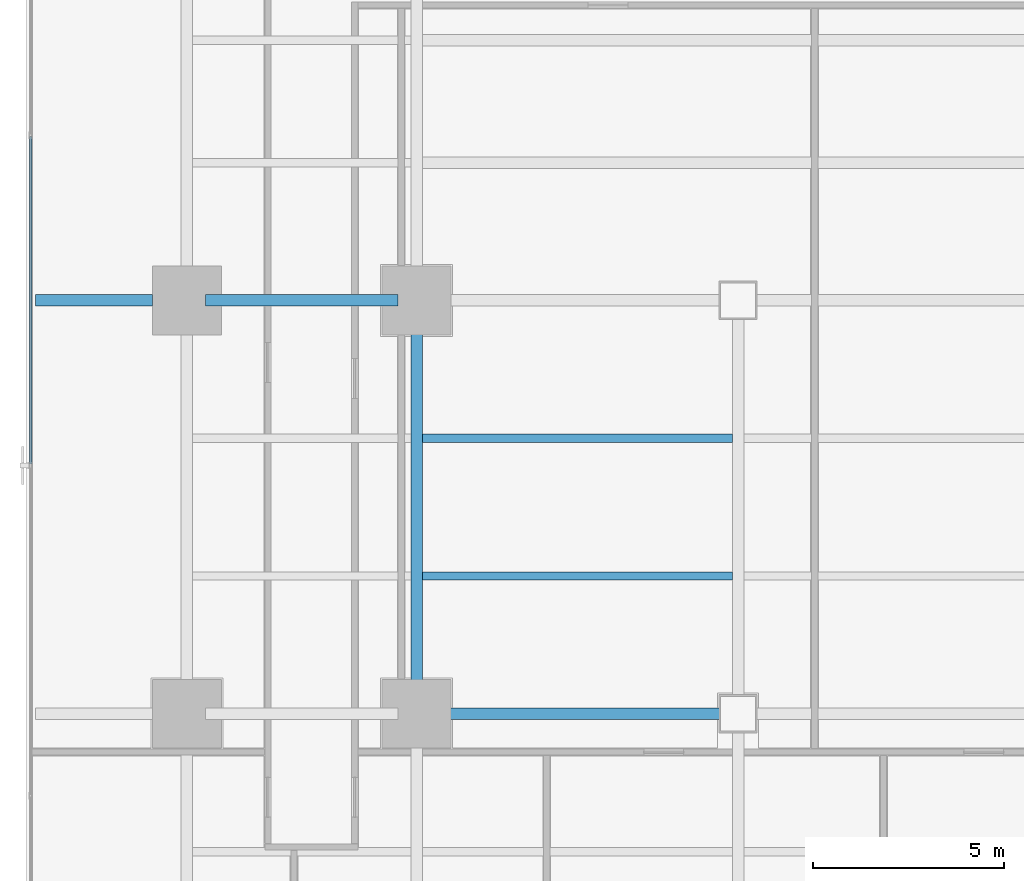
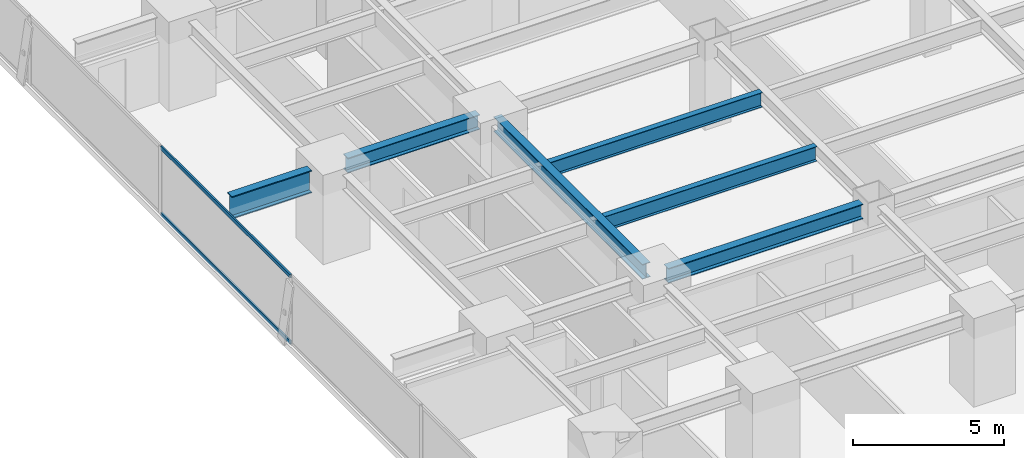
# One storey, part 8 of 33: 6 beams, 2 members, 1 element without a shape of its own.
"""IFC4 building model written with IfcOpenShell, lengths in metres."""

from ifc_helpers import new_model, si_unit, direction, frame, origin, origin_2d, place, context, subcontext, project, spatial, hollow_rectangle, i_section, extrude, source, transform, mapped, material, layer, layer_set, material_profile, profile_set, type_object, element, aggregate, save


model = new_model("IFC4")

# Units and contexts
model_context = context("Model", 3, precision=1e-05, world=origin(), true_north=direction((0.0, 1.0)))
body_context = subcontext(model_context, "Body", "Model", "MODEL_VIEW")
ifc_project = project(units=[si_unit("LENGTHUNIT", "METRE"), si_unit("AREAUNIT", "SQUARE_METRE"), si_unit("VOLUMEUNIT", "CUBIC_METRE"), si_unit("PLANEANGLEUNIT", "RADIAN"), si_unit("MASSUNIT", "GRAM", prefix="KILO")], contexts=[model_context])

# Site, building, storey
site_placement = place(None, origin())
site = spatial("IfcSite", under=ifc_project, at=site_placement, CompositionType="ELEMENT")
building_placement = place(site_placement, origin())
building = spatial("IfcBuilding", under=site, at=building_placement, Name="Sumidabori Civic Tower", CompositionType="ELEMENT")
storey_placement = place(building_placement, frame((0.0, 0.0, 59.60009765625)))
storey = spatial("IfcBuildingStorey", under=building, at=storey_placement, Name="L15", CompositionType="ELEMENT", Elevation=59.60009765625)

# Beams
ifc_material_1 = material(Name="Steel SN490", Category="steel")
ifc_material_profile_1 = material_profile(ifc_material_1, i_section(OverallWidth=0.300048828125, OverallDepth=0.60009765625, WebThickness=0.015380859375, FlangeThickness=0.030029296875, at=origin_2d()), Name="HE 600 B")
ifc_profile_set_1 = profile_set([ifc_material_profile_1], Name="Steel SN490")
beam_type_1 = type_object("IfcBeamType", Name="BM-GIRD-600", PredefinedType="BEAM", material=ifc_profile_set_1)
shared_shape_1 = source(origin(), body_context, "Body", "SweptSolid", [
    extrude(i_section(OverallWidth=0.300048828125, OverallDepth=0.60009765625, WebThickness=0.015380859375, FlangeThickness=0.030029296875, at=origin_2d()), origin(), (0.0, 0.0, 1.0), 5.0400390625),
])
beam_1_placement = place(storey_placement, frame((-22.320068359375, 0.0, 3.059814453125), z_axis=(1.0, 0.0, 0.0), x_axis=(0.0, 1.0, 0.0)))
element("IfcBeam", 1, at=beam_1_placement, inside=storey, type_object=beam_type_1, Name="Primary Girder L15 GX-13", PredefinedType="BEAM", context=body_context, shape_type="MappedRepresentation", body=[
    mapped(shared_shape_1, transform((0.0, 0.0, 0.0), x_axis=(1.0, 0.0, 0.0), y_axis=(0.0, 1.0, 0.0), z_axis=(0.0, 0.0, 1.0), scale=1.0)),
])
shared_shape_2 = source(origin(), body_context, "Body", "SweptSolid", [
    extrude(i_section(OverallWidth=0.300048828125, OverallDepth=0.60009765625, WebThickness=0.015380859375, FlangeThickness=0.030029296875, at=origin_2d()), origin(), (0.0, 0.0, 1.0), 7.440185546875),
])
beam_2_placement = place(storey_placement, frame((-16.320068359375, -10.800048828125, 3.059814453125), z_axis=(1.0, 0.0, 0.0), x_axis=(0.0, 1.0, 0.0)))
element("IfcBeam", 2, at=beam_2_placement, inside=storey, type_object=beam_type_1, Name="Primary Girder L15 GX-08", PredefinedType="BEAM", context=body_context, shape_type="MappedRepresentation", body=[
    mapped(shared_shape_2, transform((0.0, 0.0, 0.0), x_axis=(1.0, 0.0, 0.0), y_axis=(0.0, 1.0, 0.0), z_axis=(0.0, 0.0, 1.0), scale=1.0)),
])
shared_shape_3 = source(origin(), body_context, "Body", "SweptSolid", [
    extrude(i_section(OverallWidth=0.300048828125, OverallDepth=0.60009765625, WebThickness=0.015380859375, FlangeThickness=0.030029296875, at=origin_2d()), origin(), (0.0, 0.0, 1.0), 9.840087890625),
])
beam_3_placement = place(storey_placement, frame((-16.800048828125, -10.320068359375, 3.059814453125), z_axis=(0.0, 1.0, 0.0), x_axis=(-1.0, 0.0, 0.0)))
element("IfcBeam", 3, at=beam_3_placement, inside=storey, type_object=beam_type_1, Name="Primary Girder L15 GY-26", PredefinedType="BEAM", context=body_context, shape_type="MappedRepresentation", body=[
    mapped(shared_shape_3, transform((0.0, 0.0, 0.0), x_axis=(1.0, 0.0, 0.0), y_axis=(0.0, 1.0, 0.0), z_axis=(0.0, 0.0, 1.0), scale=1.0)),
])
ifc_material_profile_2 = material_profile(ifc_material_1, i_section(OverallWidth=0.302001953125, OverallDepth=0.909912109375, WebThickness=0.02099609375, FlangeThickness=0.0400390625, at=origin_2d()), Name="HE 900 M")
ifc_profile_set_2 = profile_set([ifc_material_profile_2], Name="Steel SN490")
beam_type_2 = type_object("IfcBeamType", Name="BM-Z1-EDGE", PredefinedType="SPANDREL", material=ifc_profile_set_2)
shared_shape_4 = source(origin(), body_context, "Body", "SweptSolid", [
    extrude(i_section(OverallWidth=0.302001953125, OverallDepth=0.909912109375, WebThickness=0.02099609375, FlangeThickness=0.0400390625, at=origin_2d()), origin(), (0.0, 0.0, 1.0), 3.050048828125),
])
beam_4_placement = place(storey_placement, frame((-26.75, 0.0, 2.90478515625), z_axis=(1.0, 0.0, 0.0), x_axis=(0.0, 1.0, 0.0)))
element("IfcBeam", 4, at=beam_4_placement, inside=storey, type_object=beam_type_2, Name="Perimeter Overhang Beam L15 W-46", PredefinedType="SPANDREL", context=body_context, shape_type="MappedRepresentation", body=[
    mapped(shared_shape_4, transform((0.0, 0.0, 0.0), x_axis=(1.0, 0.0, 0.0), y_axis=(0.0, 1.0, 0.0), z_axis=(0.0, 0.0, 1.0), scale=1.0)),
])
ifc_material_profile_3 = material_profile(ifc_material_1, i_section(OverallWidth=0.219970703125, OverallDepth=0.60009765625, WebThickness=0.011962890625, FlangeThickness=0.01904296875, at=origin_2d()), Name="IPE 600")
ifc_profile_set_3 = profile_set([ifc_material_profile_3], Name="Steel SN490")
beam_type_3 = type_object("IfcBeamType", Name="BM-JST-600", PredefinedType="JOIST", material=ifc_profile_set_3)
shared_shape_5 = source(origin(), body_context, "Body", "SweptSolid", [
    extrude(i_section(OverallWidth=0.219970703125, OverallDepth=0.60009765625, WebThickness=0.011962890625, FlangeThickness=0.01904296875, at=origin_2d()), origin(), (0.0, 0.0, 1.0), 8.099853515625),
])
for number, where, z_axis, x_axis, name in (
    (5, (-16.64990234375, -7.199951171875, 3.059814453125), (1.0, 0.0, 0.0), (0.0, 1.0, 0.0), "South Bay Floor Joist L15 JSTS-65"),
    (6, (-16.64990234375, -3.60009765625, 3.059814453125), (1.0, 0.0, 0.0), (0.0, 1.0, 0.0), "South Bay Floor Joist L15 JSTS-69"),
):
    element("IfcBeam", number, at=place(storey_placement, frame(where, z_axis=z_axis, x_axis=x_axis)), inside=storey, type_object=beam_type_3, Name=name, PredefinedType="JOIST", context=body_context, shape_type="MappedRepresentation", body=[
        mapped(shared_shape_5, transform((0.0, 0.0, 0.0), x_axis=(1.0, 0.0, 0.0), y_axis=(0.0, 1.0, 0.0), z_axis=(0.0, 0.0, 1.0), scale=1.0)),
    ])

# Curtain wall, members
ifc_material_2 = material(Name="Anodised Bronze Aluminium AW-6063-T6", Category="aluminium")
ifc_layer = layer(ifc_material_2, 0.179931640625, Name="Anodised Bronze Aluminium AW-6063-T6")
ifc_layer_set = layer_set([ifc_layer], Name="Anodised Bronze Aluminium AW-6063-T6")
curtain_wall_type = type_object("IfcCurtainWallType", Name="CW-SYS-2", PredefinedType="NOTDEFINED", material=ifc_layer_set)
curtain_wall_placement = place(storey_placement, origin())
curtain_wall = element("IfcCurtainWall", 7, at=curtain_wall_placement, inside=storey, type_object=curtain_wall_type, Name="Curtain Wall CW:L15:R10", PredefinedType="NOTDEFINED")
ifc_material_profile_4 = material_profile(ifc_material_2, hollow_rectangle(XDim=0.06494140625, YDim=0.14990234375, WallThickness=0.0048828125, at=origin_2d()), Name="ALU TRANSOM 150x65")
ifc_profile_set_4 = profile_set([ifc_material_profile_4], Name="Anodised Bronze Aluminium AW-6063-T6")
member_type = type_object("IfcMemberType", Name="CW-TRN-150", PredefinedType="USERDEFINED", material=ifc_profile_set_4)
shared_shape_6 = source(origin(), body_context, "Body", "SweptSolid", [
    extrude(hollow_rectangle(XDim=0.06494140625, YDim=0.14990234375, WallThickness=0.0048828125, at=origin_2d()), origin(), (0.0, 0.0, 1.0), 8.55810546875),
])
member_1_placement = place(storey_placement, frame((-26.8798828125, 4.279052734375, 0.032470703125), z_axis=(0.0, -1.0, 0.0), x_axis=(1.0, 0.0, 0.0)))
member_1 = element("IfcMember", 8, at=member_1_placement, type_object=member_type, Name="CW-2 transom 3.1", ObjectType="TRANSOM", PredefinedType="USERDEFINED", context=body_context, shape_type="MappedRepresentation", body=[
    mapped(shared_shape_6, transform((0.0, 0.0, 0.0), x_axis=(1.0, 0.0, 0.0), y_axis=(0.0, 1.0, 0.0), z_axis=(0.0, 0.0, 1.0), scale=1.0)),
])
member_2_placement = place(storey_placement, frame((-26.8798828125, 4.279052734375, 2.70751953125), z_axis=(0.0, -1.0, 0.0), x_axis=(1.0, 0.0, 0.0)))
member_2 = element("IfcMember", 9, at=member_2_placement, type_object=member_type, Name="CW-2 transom 3.2", ObjectType="TRANSOM", PredefinedType="USERDEFINED", context=body_context, shape_type="MappedRepresentation", body=[
    mapped(shared_shape_6, transform((0.0, 0.0, 0.0), x_axis=(1.0, 0.0, 0.0), y_axis=(0.0, 1.0, 0.0), z_axis=(0.0, 0.0, 1.0), scale=1.0)),
])
aggregate(curtain_wall, [member_1, member_2])

save(model, "model.ifc")
